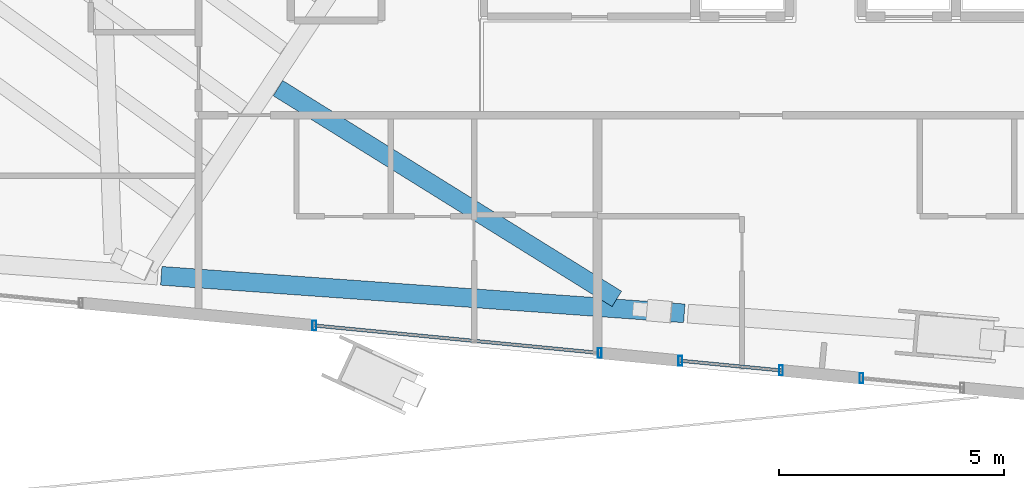
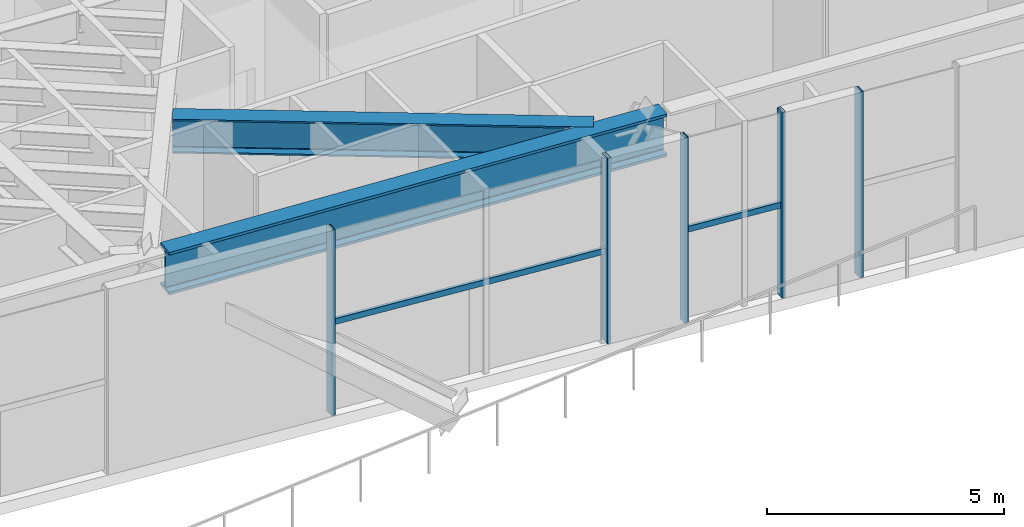
# One storey, part 5 of 23: 7 members, 2 beams, 3 elements without a shape of their own.
"""IFC4 building model written with IfcOpenShell, lengths in metres."""

from ifc_helpers import new_model, si_unit, direction, frame, origin, origin_2d, place, context, subcontext, project, spatial, hollow_rectangle, i_section, extrude, source, transform, mapped, material, material_profile, profile_set, type_object, type_shapes, element, aggregate, save


model = new_model("IFC4")

# Units and contexts
model_context = context("Model", 3, precision=1e-05, world=origin(), true_north=direction((0.0, 1.0)))
body_context = subcontext(model_context, "Body", "Model", "MODEL_VIEW")
ifc_project = project(units=[si_unit("LENGTHUNIT", "METRE"), si_unit("AREAUNIT", "SQUARE_METRE"), si_unit("VOLUMEUNIT", "CUBIC_METRE"), si_unit("PLANEANGLEUNIT", "RADIAN"), si_unit("MASSUNIT", "GRAM", prefix="KILO")], contexts=[model_context])

# Site, building, storey
site_placement = place(None, origin())
site = spatial("IfcSite", under=ifc_project, at=site_placement, CompositionType="ELEMENT")
building_placement = place(site_placement, origin())
building = spatial("IfcBuilding", under=site, at=building_placement, Name="Astriad Promenade Condominiums", CompositionType="ELEMENT")
storey_placement = place(building_placement, frame((0.0, 0.0, 119.39990234375)))
storey = spatial("IfcBuildingStorey", under=building, at=storey_placement, Name="L34", CompositionType="ELEMENT", Elevation=119.39990234375)

# Beams
ifc_material_1 = material(Name="Steel ASTM A992 Grade 50", Category="steel")
ifc_material_profile_1 = material_profile(ifc_material_1, i_section(OverallWidth=0.4169921875, OverallDepth=1.093505859375, WebThickness=0.0390625, FlangeThickness=0.070068359375, FilletRadius=0.025390625, at=origin_2d()), Name="W40X503")
ifc_profile_set_1 = profile_set([ifc_material_profile_1], Name="Steel ASTM A992 Grade 50")
beam_type_1 = type_object("IfcBeamType", Name="STEEL TRANSFER GIRDER W40X503", PredefinedType="BEAM", material=ifc_profile_set_1)
shared_shape_1 = source(origin(), body_context, "Body", "SweptSolid", [
    extrude(i_section(OverallWidth=0.4169921875, OverallDepth=1.093505859375, WebThickness=0.0390625, FlangeThickness=0.070068359375, FilletRadius=0.025390625, at=origin_2d()), origin(), (0.0, 0.0, 1.0), 11.66748046875),
])
type_shapes(beam_type_1, [shared_shape_1])
beam_1_placement = place(storey_placement, frame((21.219482421875, 8.977783203125, 4.2333984375), z_axis=(0.997434531101, -0.071584608448, 0.0), x_axis=(0.071584608448, 0.997434531101, 0.0)))
element("IfcBeam", 1, at=beam_1_placement, inside=storey, type_object=beam_type_1, Name="Perimeter Spandrel Beam SP-S2-L34", PredefinedType="BEAM", context=body_context, shape_type="MappedRepresentation", body=[
    mapped(shared_shape_1, transform((0.0, 0.0, 0.0), scale=1.0)),
])
ifc_material_profile_2 = material_profile(ifc_material_1, i_section(OverallWidth=0.4013671875, OverallDepth=0.877197265625, WebThickness=0.022216796875, FlangeThickness=0.039794921875, FilletRadius=0.02294921875, at=origin_2d()), Name="W33X263")
ifc_profile_set_2 = profile_set([ifc_material_profile_2], Name="Steel ASTM A992 Grade 50")
beam_type_2 = type_object("IfcBeamType", Name="STEEL TRANSFER CARRIER GIRDER W33X263", PredefinedType="BEAM", material=ifc_profile_set_2)
shared_shape_2 = source(origin(), body_context, "Body", "SweptSolid", [
    extrude(i_section(OverallWidth=0.4013671875, OverallDepth=0.877197265625, WebThickness=0.022216796875, FlangeThickness=0.039794921875, FilletRadius=0.02294921875, at=origin_2d()), origin(), (0.0, 0.0, 1.0), 8.8779296875),
])
type_shapes(beam_type_2, [shared_shape_2])
beam_2_placement = place(storey_placement, frame((23.817138671875, 13.152587890625, 4.341552734375), z_axis=(0.849175002159, -0.528111556121, 0.0), x_axis=(0.528111556121, 0.849175002159, 0.0)))
element("IfcBeam", 2, at=beam_2_placement, inside=storey, type_object=beam_type_2, Name="Transfer Splice Carrier TRM-SP-PC03-L34", PredefinedType="BEAM", context=body_context, shape_type="MappedRepresentation", body=[
    mapped(shared_shape_2, transform((0.0, 0.0, 0.0), scale=1.0)),
])

# Curtain wall, member
ifc_material_2 = material(Name="Anodised aluminium Black Dark Glass Unitised", Category="aluminium")
curtain_wall_type = type_object("IfcCurtainWallType", Name="CW-B34-DARK", PredefinedType="USERDEFINED", material=ifc_material_2)
curtain_wall_1_placement = place(storey_placement, origin())
curtain_wall_1 = element("IfcCurtainWall", 3, at=curtain_wall_1_placement, inside=storey, type_object=curtain_wall_type, Name="CW-L34-S-2", ObjectType="UNITISED_CURTAIN_WALL", PredefinedType="USERDEFINED")
ifc_material_3 = material(Name="Anodised aluminium 6063-T6 Black", Category="aluminium")
ifc_material_profile_3 = material_profile(ifc_material_3, hollow_rectangle(XDim=0.0849609375, YDim=0.219970703125, WallThickness=0.0048828125, at=origin_2d()), Name="ALU-MUL-85X220")
ifc_profile_set_3 = profile_set([ifc_material_profile_3], Name="Anodised aluminium 6063-T6 Black")
member_type_1 = type_object("IfcMemberType", Name="MUL-ALU-MUL-85X220", PredefinedType="MULLION", material=ifc_profile_set_3)
shared_shape_3 = source(origin(), body_context, "Body", "SweptSolid", [
    extrude(hollow_rectangle(XDim=0.0849609375, YDim=0.219970703125, WallThickness=0.0048828125, at=origin_2d()), origin(), (0.0, 0.0, 1.0), 4.780029296875),
])
type_shapes(member_type_1, [shared_shape_3])
member_1_placement = place(storey_placement, frame((36.80029296875, 6.7001953125, 0.0), z_axis=(0.0, 0.0, 1.0), x_axis=(1.0, 0.0, 0.0)))
member_1 = element("IfcMember", 4, at=member_1_placement, type_object=member_type_1, Name="CW-L34-S-2-MUL-01", PredefinedType="MULLION", context=body_context, shape_type="MappedRepresentation", body=[
    mapped(shared_shape_3, transform((0.0, 0.0, 0.0), scale=1.0)),
])
aggregate(curtain_wall_1, [member_1])

# Curtain wall, members
curtain_wall_2_placement = place(storey_placement, origin())
curtain_wall_2 = element("IfcCurtainWall", 5, at=curtain_wall_2_placement, inside=storey, type_object=curtain_wall_type, Name="CW-L34-S-3", ObjectType="UNITISED_CURTAIN_WALL", PredefinedType="USERDEFINED")
member_2_placement = place(storey_placement, frame((35.0087890625, 6.87255859375, 0.0), z_axis=(0.0, 0.0, 1.0), x_axis=(1.0, 0.0, 0.0)))
member_2 = element("IfcMember", 6, at=member_2_placement, type_object=member_type_1, Name="CW-L34-S-3-MUL-00", PredefinedType="MULLION", context=body_context, shape_type="MappedRepresentation", body=[
    mapped(shared_shape_3, transform((0.0, 0.0, 0.0), scale=1.0)),
])
member_3_placement = place(storey_placement, frame((32.76904296875, 7.08837890625, 0.0), z_axis=(0.0, 0.0, 1.0), x_axis=(1.0, 0.0, 0.0)))
member_3 = element("IfcMember", 7, at=member_3_placement, type_object=member_type_1, Name="CW-L34-S-3-MUL-01", PredefinedType="MULLION", context=body_context, shape_type="MappedRepresentation", body=[
    mapped(shared_shape_3, transform((0.0, 0.0, 0.0), scale=1.0)),
])

curtain_wall_3_placement = place(storey_placement, origin())
curtain_wall_3 = element("IfcCurtainWall", 8, at=curtain_wall_3_placement, inside=storey, type_object=curtain_wall_type, Name="CW-L34-S-4", ObjectType="UNITISED_CURTAIN_WALL", PredefinedType="USERDEFINED")
member_4_placement = place(storey_placement, frame((30.977294921875, 7.2607421875, 0.0), z_axis=(0.0, 0.0, 1.0), x_axis=(1.0, 0.0, 0.0)))
member_4 = element("IfcMember", 9, at=member_4_placement, type_object=member_type_1, Name="CW-L34-S-4-MUL-00", PredefinedType="MULLION", context=body_context, shape_type="MappedRepresentation", body=[
    mapped(shared_shape_3, transform((0.0, 0.0, 0.0), scale=1.0)),
])
member_5_placement = place(storey_placement, frame((24.626708984375, 7.872314453125, 0.0), z_axis=(0.0, 0.0, 1.0), x_axis=(1.0, 0.0, 0.0)))
member_5 = element("IfcMember", 10, at=member_5_placement, type_object=member_type_1, Name="CW-L34-S-4-MUL-01", PredefinedType="MULLION", context=body_context, shape_type="MappedRepresentation", body=[
    mapped(shared_shape_3, transform((0.0, 0.0, 0.0), scale=1.0)),
])

# Member
ifc_material_profile_4 = material_profile(ifc_material_3, hollow_rectangle(XDim=0.074951171875, YDim=0.14990234375, WallThickness=0.004150390625, at=origin_2d()), Name="ALU-TRN-75X150")
ifc_profile_set_4 = profile_set([ifc_material_profile_4], Name="Anodised aluminium 6063-T6 Black")
member_type_2 = type_object("IfcMemberType", Name="TRN-ALU-TRN-75X150", PredefinedType="USERDEFINED", material=ifc_profile_set_4)
shared_shape_4 = source(origin(), body_context, "Body", "SweptSolid", [
    extrude(hollow_rectangle(XDim=0.074951171875, YDim=0.14990234375, WallThickness=0.004150390625, at=origin_2d()), origin(), (0.0, 0.0, 1.0), 2.25),
])
member_6_placement = place(storey_placement, frame((35.0087890625, 6.87255859375, 2.35009765625), z_axis=(-0.995389526779, 0.095915014353, 0.0), x_axis=(-0.095915014353, -0.995389526779, 0.0)))
member_6 = element("IfcMember", 11, at=member_6_placement, type_object=member_type_2, Name="CW-L34-S-3-TRN-00-0", ObjectType="TRANSOM", PredefinedType="USERDEFINED", context=body_context, shape_type="MappedRepresentation", body=[
    mapped(shared_shape_4, transform((0.0, 0.0, 0.0), scale=1.0)),
])

aggregate(curtain_wall_2, [member_2, member_3, member_6])

shared_shape_5 = source(origin(), body_context, "Body", "SweptSolid", [
    extrude(hollow_rectangle(XDim=0.074951171875, YDim=0.14990234375, WallThickness=0.004150390625, at=origin_2d()), origin(), (0.0, 0.0, 1.0), 6.3798828125),
])
type_shapes(member_type_2, [shared_shape_4, shared_shape_5])
member_7_placement = place(storey_placement, frame((30.977294921875, 7.2607421875, 2.35009765625), z_axis=(-0.995394996153, 0.095858237174, 0.0), x_axis=(-0.095858237174, -0.995394996153, 0.0)))
member_7 = element("IfcMember", 12, at=member_7_placement, type_object=member_type_2, Name="CW-L34-S-4-TRN-00-0", ObjectType="TRANSOM", PredefinedType="USERDEFINED", context=body_context, shape_type="MappedRepresentation", body=[
    mapped(shared_shape_5, transform((0.0, 0.0, 0.0), scale=1.0)),
])

aggregate(curtain_wall_3, [member_4, member_5, member_7])

save(model, "model.ifc")
